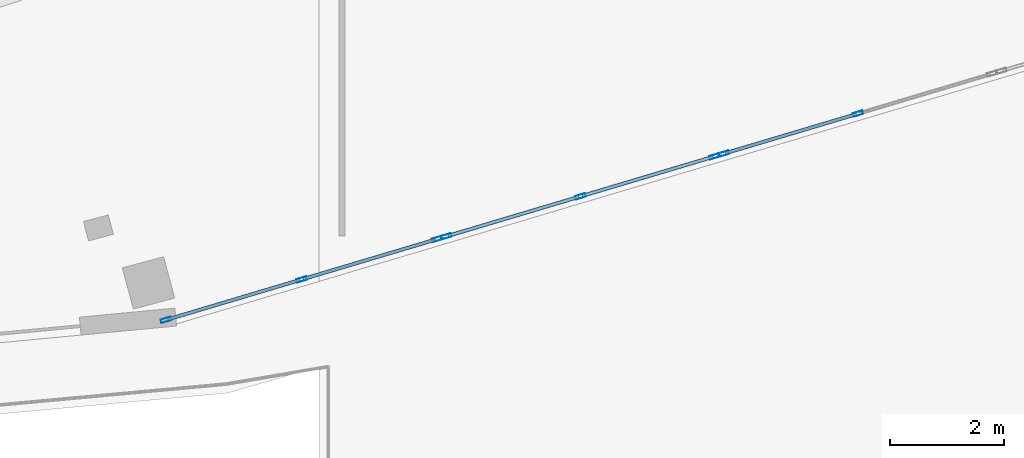
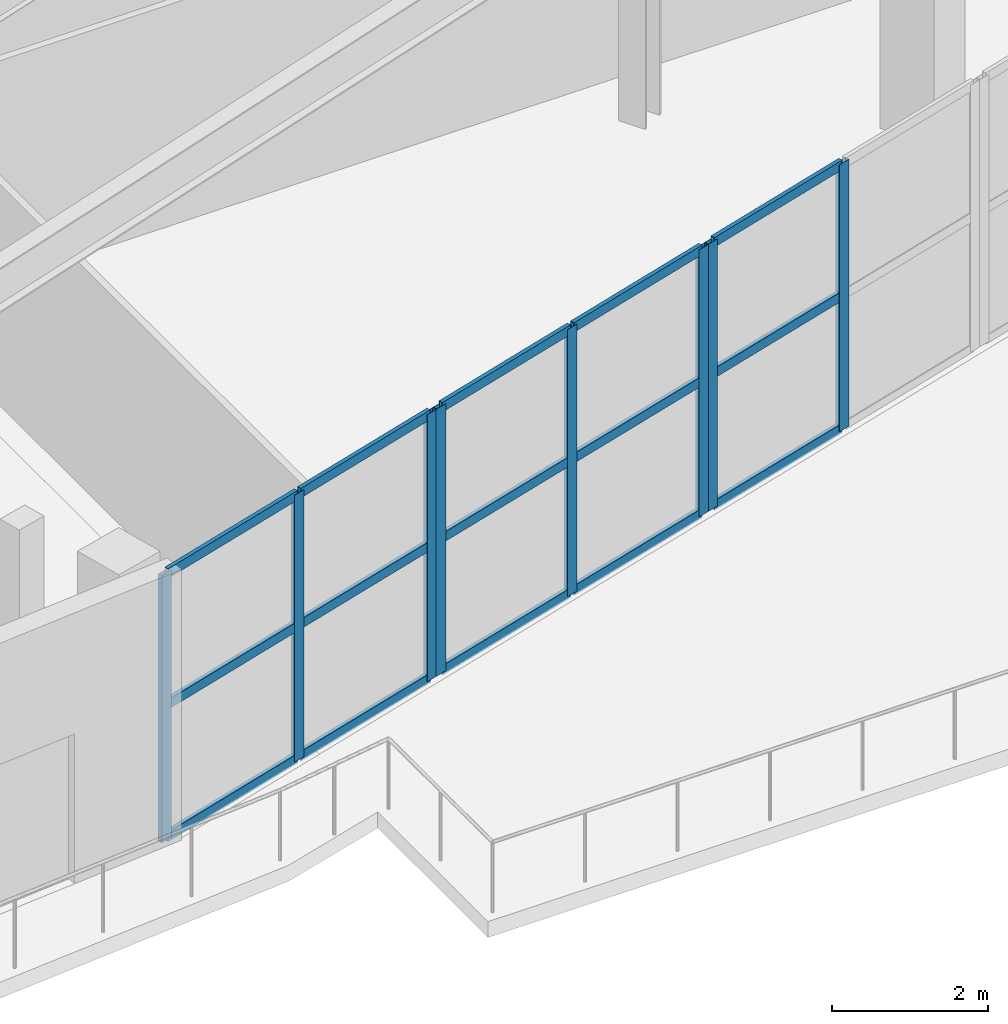
# One storey, part 26 of 107: 23 members, 3 elements without a shape of their own.
"""IFC4 building model written with IfcOpenShell, lengths in metres."""

from ifc_helpers import new_model, si_unit, direction, frame, origin, origin_2d, place, context, subcontext, project, spatial, hollow_rectangle, extrude, material, layer, layer_set, material_profile, profile_set, type_object, element, aggregate, save


model = new_model("IFC4")

# Units and contexts
model_context = context("Model", 3, precision=1e-05, world=origin(), true_north=direction((0.0, 1.0)))
body_context = subcontext(model_context, "Body", "Model", "MODEL_VIEW")
ifc_project = project(units=[si_unit("LENGTHUNIT", "METRE"), si_unit("AREAUNIT", "SQUARE_METRE"), si_unit("VOLUMEUNIT", "CUBIC_METRE"), si_unit("PLANEANGLEUNIT", "RADIAN"), si_unit("MASSUNIT", "GRAM", prefix="KILO")], contexts=[model_context])

# Site, building, storey
site_placement = place(None, origin())
site = spatial("IfcSite", under=ifc_project, at=site_placement, CompositionType="ELEMENT")
building_placement = place(site_placement, origin())
building = spatial("IfcBuilding", under=site, at=building_placement, Name="Kalgoora Escarpment Arena", CompositionType="ELEMENT")
storey_placement = place(building_placement, frame((0.0, 0.0, 5.39990234375)))
storey = spatial("IfcBuildingStorey", under=building, at=storey_placement, Name="L01", CompositionType="ELEMENT", Elevation=5.39990234375)

# Curtain wall, members
ifc_material_1 = material(Name=" Champagne anodised aluminium & double-glazed low-E", Category="aluminium")
ifc_layer_1 = layer(ifc_material_1, 0.157958984375)
ifc_layer_set_1 = layer_set([ifc_layer_1], Name="CW-UNIT-07")
curtain_wall_type_1 = type_object("IfcCurtainWallType", Name="CW-UNIT-07", PredefinedType="NOTDEFINED", material=ifc_layer_set_1)
curtain_wall_1_placement = place(storey_placement, origin())
curtain_wall_1 = element("IfcCurtainWall", 1, at=curtain_wall_1_placement, inside=storey, type_object=curtain_wall_type_1, Name="L01 unitised facade curtain wall 006", PredefinedType="NOTDEFINED")
ifc_material_2 = material(Name="Anodised aluminium 6063-T6", Category="aluminium")
ifc_material_profile_1 = material_profile(ifc_material_2, hollow_rectangle(XDim=0.06494140625, YDim=0.179931640625, WallThickness=0.00390625, at=origin_2d()))
ifc_profile_set_1 = profile_set([ifc_material_profile_1], Name="Anodised aluminium 6063-T6")
member_type_1 = type_object("IfcMemberType", Name="MEM-CW-MULL-180", PredefinedType="MULLION", material=ifc_profile_set_1)
member_1_placement = place(storey_placement, frame((127.059814453125, 7.277099609375, 0.02001953125), z_axis=(0.0, 0.0, 1.0), x_axis=(0.285627593932, -0.958340689726, 0.0)))
member_1 = element("IfcMember", 2, at=member_1_placement, type_object=member_type_1, Name="CW-07 mullion 2", PredefinedType="MULLION", context=body_context, shape_type="SweptSolid", body=[
    extrude(hollow_rectangle(XDim=0.06494140625, YDim=0.179931640625, WallThickness=0.00390625, at=origin_2d()), origin(), (0.0, 0.0, 1.0), 4.190185546875),
])
member_2_placement = place(storey_placement, frame((124.703369140625, 6.574951171875, 0.02001953125), z_axis=(0.0, 0.0, 1.0), x_axis=(0.285627593932, -0.958340689726, 0.0)))
member_2 = element("IfcMember", 3, at=member_2_placement, type_object=member_type_1, Name="CW-07 mullion 3", PredefinedType="MULLION", context=body_context, shape_type="SweptSolid", body=[
    extrude(hollow_rectangle(XDim=0.06494140625, YDim=0.179931640625, WallThickness=0.00390625, at=origin_2d()), origin(), (0.0, 0.0, 1.0), 4.190185546875),
])

ifc_material_3 = material(Name=" Champagne anodised aluminium & double-glazed low-E", Category="aluminium")
ifc_layer_2 = layer(ifc_material_3, 0.162109375)
ifc_layer_set_2 = layer_set([ifc_layer_2], Name="CW-UNIT-08")
curtain_wall_type_2 = type_object("IfcCurtainWallType", Name="CW-UNIT-08", PredefinedType="NOTDEFINED", material=ifc_layer_set_2)
curtain_wall_2_placement = place(storey_placement, origin())
curtain_wall_2 = element("IfcCurtainWall", 4, at=curtain_wall_2_placement, inside=storey, type_object=curtain_wall_type_2, Name="L01 unitised facade curtain wall 007", PredefinedType="NOTDEFINED")
member_3_placement = place(storey_placement, frame((124.54541015625, 6.52783203125, 0.02001953125), z_axis=(0.0, 0.0, 1.0), x_axis=(0.28562210009, -0.958342327115, 0.0)))
member_3 = element("IfcMember", 5, at=member_3_placement, type_object=member_type_1, Name="CW-08 mullion 1", PredefinedType="MULLION", context=body_context, shape_type="SweptSolid", body=[
    extrude(hollow_rectangle(XDim=0.06494140625, YDim=0.179931640625, WallThickness=0.00390625, at=origin_2d()), origin(), (0.0, 0.0, 1.0), 4.190185546875),
])
member_4_placement = place(storey_placement, frame((122.18896484375, 5.825439453125, 0.02001953125), z_axis=(0.0, 0.0, 1.0), x_axis=(0.28562210009, -0.958342327115, 0.0)))
member_4 = element("IfcMember", 6, at=member_4_placement, type_object=member_type_1, Name="CW-08 mullion 2", PredefinedType="MULLION", context=body_context, shape_type="SweptSolid", body=[
    extrude(hollow_rectangle(XDim=0.06494140625, YDim=0.179931640625, WallThickness=0.00390625, at=origin_2d()), origin(), (0.0, 0.0, 1.0), 4.190185546875),
])
member_5_placement = place(storey_placement, frame((119.832763671875, 5.123291015625, 0.02001953125), z_axis=(0.0, 0.0, 1.0), x_axis=(0.28562210009, -0.958342327115, 0.0)))
member_5 = element("IfcMember", 7, at=member_5_placement, type_object=member_type_1, Name="CW-08 mullion 3", PredefinedType="MULLION", context=body_context, shape_type="SweptSolid", body=[
    extrude(hollow_rectangle(XDim=0.06494140625, YDim=0.179931640625, WallThickness=0.00390625, at=origin_2d()), origin(), (0.0, 0.0, 1.0), 4.190185546875),
])

ifc_material_4 = material(Name=" Champagne anodised aluminium & double-glazed low-E", Category="aluminium")
ifc_layer_3 = layer(ifc_material_4, 0.166015625)
ifc_layer_set_3 = layer_set([ifc_layer_3], Name="CW-UNIT-09")
curtain_wall_type_3 = type_object("IfcCurtainWallType", Name="CW-UNIT-09", PredefinedType="NOTDEFINED", material=ifc_layer_set_3)
curtain_wall_3_placement = place(storey_placement, origin())
curtain_wall_3 = element("IfcCurtainWall", 8, at=curtain_wall_3_placement, inside=storey, type_object=curtain_wall_type_3, Name="L01 unitised facade curtain wall 008", PredefinedType="NOTDEFINED")
member_6_placement = place(storey_placement, frame((119.674560546875, 5.076171875, 0.02001953125), z_axis=(0.0, 0.0, 1.0), x_axis=(0.285626479399, -0.958341021905, 0.0)))
member_6 = element("IfcMember", 9, at=member_6_placement, type_object=member_type_1, Name="CW-09 mullion 1", PredefinedType="MULLION", context=body_context, shape_type="SweptSolid", body=[
    extrude(hollow_rectangle(XDim=0.06494140625, YDim=0.179931640625, WallThickness=0.00390625, at=origin_2d()), origin(), (0.0, 0.0, 1.0), 4.190185546875),
])
member_7_placement = place(storey_placement, frame((117.29443359375, 4.36669921875, 0.02001953125), z_axis=(0.0, 0.0, 1.0), x_axis=(0.285626479399, -0.958341021905, 0.0)))
member_7 = element("IfcMember", 10, at=member_7_placement, type_object=member_type_1, Name="CW-09 mullion 2", PredefinedType="MULLION", context=body_context, shape_type="SweptSolid", body=[
    extrude(hollow_rectangle(XDim=0.06494140625, YDim=0.179931640625, WallThickness=0.00390625, at=origin_2d()), origin(), (0.0, 0.0, 1.0), 4.190185546875),
])
member_8_placement = place(storey_placement, frame((114.9140625, 3.6572265625, 0.02001953125), z_axis=(0.0, 0.0, 1.0), x_axis=(0.285626479399, -0.958341021905, 0.0)))
member_8 = element("IfcMember", 11, at=member_8_placement, type_object=member_type_1, Name="CW-09 mullion 3", PredefinedType="MULLION", context=body_context, shape_type="SweptSolid", body=[
    extrude(hollow_rectangle(XDim=0.06494140625, YDim=0.179931640625, WallThickness=0.00390625, at=origin_2d()), origin(), (0.0, 0.0, 1.0), 4.190185546875),
])

# Member
ifc_material_5 = material(Name="Anodised aluminium 6063-T6", Category="aluminium")
ifc_material_profile_2 = material_profile(ifc_material_5, hollow_rectangle(XDim=0.06005859375, YDim=0.14990234375, WallThickness=0.00341796875, at=origin_2d()))
ifc_profile_set_2 = profile_set([ifc_material_profile_2], Name="Anodised aluminium 6063-T6")
member_type_2 = type_object("IfcMemberType", Name="MEM-CW-TRAN-150", PredefinedType="USERDEFINED", material=ifc_profile_set_2)
member_9_placement = place(storey_placement, frame((127.028564453125, 7.267822265625, 0.050048828125), z_axis=(-0.958352427731, -0.285588207498, 0.0), x_axis=(0.285588207498, -0.958352427731, 0.0)))
member_9 = element("IfcMember", 12, at=member_9_placement, type_object=member_type_2, Name="CW-07 transom 2.1", ObjectType="TRANSOM", PredefinedType="USERDEFINED", context=body_context, shape_type="SweptSolid", body=[
    extrude(hollow_rectangle(XDim=0.06005859375, YDim=0.14990234375, WallThickness=0.00341796875, at=origin_2d()), origin(), (0.0, 0.0, 1.0), 2.3935546875),
])

member_10_placement = place(storey_placement, frame((127.028564453125, 7.267822265625, 2.125), z_axis=(-0.958352427731, -0.285588207498, 0.0), x_axis=(0.285588207498, -0.958352427731, 0.0)))
member_10 = element("IfcMember", 13, at=member_10_placement, type_object=member_type_2, Name="CW-07 transom 2.2", ObjectType="TRANSOM", PredefinedType="USERDEFINED", context=body_context, shape_type="SweptSolid", body=[
    extrude(hollow_rectangle(XDim=0.06005859375, YDim=0.14990234375, WallThickness=0.00341796875, at=origin_2d()), origin(), (0.0, 0.0, 1.0), 2.3935546875),
])

member_11_placement = place(storey_placement, frame((127.028564453125, 7.267822265625, 4.18017578125), z_axis=(-0.958352427731, -0.285588207498, 0.0), x_axis=(0.285588207498, -0.958352427731, 0.0)))
member_11 = element("IfcMember", 14, at=member_11_placement, type_object=member_type_2, Name="CW-07 transom 2.3", ObjectType="TRANSOM", PredefinedType="USERDEFINED", context=body_context, shape_type="SweptSolid", body=[
    extrude(hollow_rectangle(XDim=0.06005859375, YDim=0.14990234375, WallThickness=0.00341796875, at=origin_2d()), origin(), (0.0, 0.0, 1.0), 2.3935546875),
])

aggregate(curtain_wall_1, [member_1, member_2, member_9, member_10, member_11])

member_12_placement = place(storey_placement, frame((124.51416015625, 6.5185546875, 0.050048828125), z_axis=(-0.958324508316, -0.285681880352, 0.0), x_axis=(0.285681880352, -0.958324508316, 0.0)))
member_12 = element("IfcMember", 15, at=member_12_placement, type_object=member_type_2, Name="CW-08 transom 1.1", ObjectType="TRANSOM", PredefinedType="USERDEFINED", context=body_context, shape_type="SweptSolid", body=[
    extrude(hollow_rectangle(XDim=0.06005859375, YDim=0.14990234375, WallThickness=0.00341796875, at=origin_2d()), origin(), (0.0, 0.0, 1.0), 2.393798828125),
])

member_13_placement = place(storey_placement, frame((124.51416015625, 6.5185546875, 2.125), z_axis=(-0.958324508316, -0.285681880352, 0.0), x_axis=(0.285681880352, -0.958324508316, 0.0)))
member_13 = element("IfcMember", 16, at=member_13_placement, type_object=member_type_2, Name="CW-08 transom 1.2", ObjectType="TRANSOM", PredefinedType="USERDEFINED", context=body_context, shape_type="SweptSolid", body=[
    extrude(hollow_rectangle(XDim=0.06005859375, YDim=0.14990234375, WallThickness=0.00341796875, at=origin_2d()), origin(), (0.0, 0.0, 1.0), 2.393798828125),
])

member_14_placement = place(storey_placement, frame((124.51416015625, 6.5185546875, 4.18017578125), z_axis=(-0.958324508316, -0.285681880352, 0.0), x_axis=(0.285681880352, -0.958324508316, 0.0)))
member_14 = element("IfcMember", 17, at=member_14_placement, type_object=member_type_2, Name="CW-08 transom 1.3", ObjectType="TRANSOM", PredefinedType="USERDEFINED", context=body_context, shape_type="SweptSolid", body=[
    extrude(hollow_rectangle(XDim=0.06005859375, YDim=0.14990234375, WallThickness=0.00341796875, at=origin_2d()), origin(), (0.0, 0.0, 1.0), 2.393798828125),
])

member_15_placement = place(storey_placement, frame((122.157958984375, 5.816162109375, 0.050048828125), z_axis=(-0.958352427731, -0.285588207498, 0.0), x_axis=(0.285588207498, -0.958352427731, 0.0)))
member_15 = element("IfcMember", 18, at=member_15_placement, type_object=member_type_2, Name="CW-08 transom 2.1", ObjectType="TRANSOM", PredefinedType="USERDEFINED", context=body_context, shape_type="SweptSolid", body=[
    extrude(hollow_rectangle(XDim=0.06005859375, YDim=0.14990234375, WallThickness=0.00341796875, at=origin_2d()), origin(), (0.0, 0.0, 1.0), 2.3935546875),
])

member_16_placement = place(storey_placement, frame((122.157958984375, 5.816162109375, 2.125), z_axis=(-0.958352427731, -0.285588207498, 0.0), x_axis=(0.285588207498, -0.958352427731, 0.0)))
member_16 = element("IfcMember", 19, at=member_16_placement, type_object=member_type_2, Name="CW-08 transom 2.2", ObjectType="TRANSOM", PredefinedType="USERDEFINED", context=body_context, shape_type="SweptSolid", body=[
    extrude(hollow_rectangle(XDim=0.06005859375, YDim=0.14990234375, WallThickness=0.00341796875, at=origin_2d()), origin(), (0.0, 0.0, 1.0), 2.3935546875),
])

member_17_placement = place(storey_placement, frame((122.157958984375, 5.816162109375, 4.18017578125), z_axis=(-0.958352427731, -0.285588207498, 0.0), x_axis=(0.285588207498, -0.958352427731, 0.0)))
member_17 = element("IfcMember", 20, at=member_17_placement, type_object=member_type_2, Name="CW-08 transom 2.3", ObjectType="TRANSOM", PredefinedType="USERDEFINED", context=body_context, shape_type="SweptSolid", body=[
    extrude(hollow_rectangle(XDim=0.06005859375, YDim=0.14990234375, WallThickness=0.00341796875, at=origin_2d()), origin(), (0.0, 0.0, 1.0), 2.3935546875),
])

aggregate(curtain_wall_2, [member_3, member_4, member_5, member_12, member_13, member_14, member_15, member_16, member_17])

member_18_placement = place(storey_placement, frame((119.6435546875, 5.06689453125, 0.050048828125), z_axis=(-0.958338667444, -0.285634379027, 0.0), x_axis=(0.285634379027, -0.958338667444, 0.0)))
member_18 = element("IfcMember", 21, at=member_18_placement, type_object=member_type_2, Name="CW-09 transom 1.1", ObjectType="TRANSOM", PredefinedType="USERDEFINED", context=body_context, shape_type="SweptSolid", body=[
    extrude(hollow_rectangle(XDim=0.06005859375, YDim=0.14990234375, WallThickness=0.00341796875, at=origin_2d()), origin(), (0.0, 0.0, 1.0), 2.4189453125),
])

member_19_placement = place(storey_placement, frame((119.6435546875, 5.06689453125, 2.125), z_axis=(-0.958338667444, -0.285634379027, 0.0), x_axis=(0.285634379027, -0.958338667444, 0.0)))
member_19 = element("IfcMember", 22, at=member_19_placement, type_object=member_type_2, Name="CW-09 transom 1.2", ObjectType="TRANSOM", PredefinedType="USERDEFINED", context=body_context, shape_type="SweptSolid", body=[
    extrude(hollow_rectangle(XDim=0.06005859375, YDim=0.14990234375, WallThickness=0.00341796875, at=origin_2d()), origin(), (0.0, 0.0, 1.0), 2.4189453125),
])

member_20_placement = place(storey_placement, frame((119.6435546875, 5.06689453125, 4.18017578125), z_axis=(-0.958338667444, -0.285634379027, 0.0), x_axis=(0.285634379027, -0.958338667444, 0.0)))
member_20 = element("IfcMember", 23, at=member_20_placement, type_object=member_type_2, Name="CW-09 transom 1.3", ObjectType="TRANSOM", PredefinedType="USERDEFINED", context=body_context, shape_type="SweptSolid", body=[
    extrude(hollow_rectangle(XDim=0.06005859375, YDim=0.14990234375, WallThickness=0.00341796875, at=origin_2d()), origin(), (0.0, 0.0, 1.0), 2.4189453125),
])

member_21_placement = place(storey_placement, frame((117.26318359375, 4.357421875, 0.050048828125), z_axis=(-0.958330431601, -0.285662009841, 0.0), x_axis=(0.285662009841, -0.958330431601, 0.0)))
member_21 = element("IfcMember", 24, at=member_21_placement, type_object=member_type_2, Name="CW-09 transom 2.1", ObjectType="TRANSOM", PredefinedType="USERDEFINED", context=body_context, shape_type="SweptSolid", body=[
    extrude(hollow_rectangle(XDim=0.06005859375, YDim=0.14990234375, WallThickness=0.00341796875, at=origin_2d()), origin(), (0.0, 0.0, 1.0), 2.418701171875),
])

member_22_placement = place(storey_placement, frame((117.26318359375, 4.357421875, 2.125), z_axis=(-0.958330431601, -0.285662009841, 0.0), x_axis=(0.285662009841, -0.958330431601, 0.0)))
member_22 = element("IfcMember", 25, at=member_22_placement, type_object=member_type_2, Name="CW-09 transom 2.2", ObjectType="TRANSOM", PredefinedType="USERDEFINED", context=body_context, shape_type="SweptSolid", body=[
    extrude(hollow_rectangle(XDim=0.06005859375, YDim=0.14990234375, WallThickness=0.00341796875, at=origin_2d()), origin(), (0.0, 0.0, 1.0), 2.418701171875),
])

member_23_placement = place(storey_placement, frame((117.26318359375, 4.357421875, 4.18017578125), z_axis=(-0.958330431601, -0.285662009841, 0.0), x_axis=(0.285662009841, -0.958330431601, 0.0)))
member_23 = element("IfcMember", 26, at=member_23_placement, type_object=member_type_2, Name="CW-09 transom 2.3", ObjectType="TRANSOM", PredefinedType="USERDEFINED", context=body_context, shape_type="SweptSolid", body=[
    extrude(hollow_rectangle(XDim=0.06005859375, YDim=0.14990234375, WallThickness=0.00341796875, at=origin_2d()), origin(), (0.0, 0.0, 1.0), 2.418701171875),
])

aggregate(curtain_wall_3, [member_6, member_7, member_8, member_18, member_19, member_20, member_21, member_22, member_23])

save(model, "model.ifc")
